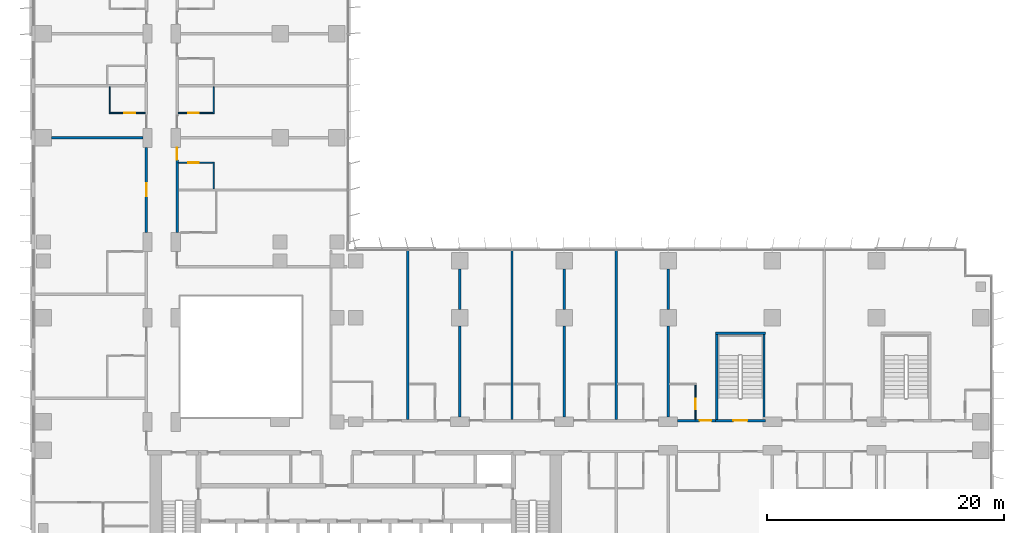
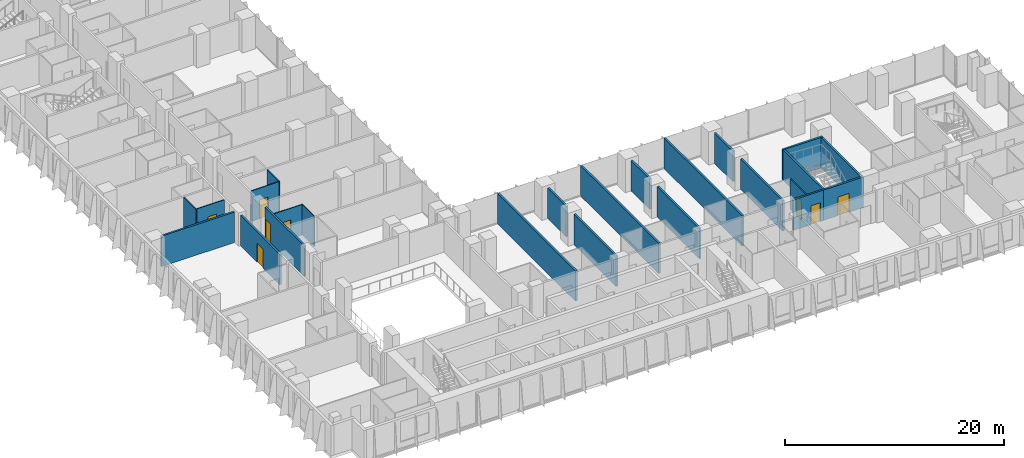
# One storey, part 15 of 24: 24 walls, 8 doors, 8 openings.
"""IFC4 building model written with IfcOpenShell, lengths in metres."""

from ifc_helpers import new_model, si_unit, direction, frame, frame_2d, origin, place, context, subcontext, project, spatial, rectangle, extrude, material, layer, layer_set, type_object, element, fill, save


model = new_model("IFC4")

# Units and contexts
model_context = context("Model", 3, precision=1e-05, world=origin(), true_north=direction((0.0, 1.0)))
body_context = subcontext(model_context, "Body", "Model", "MODEL_VIEW")
ifc_project = project(units=[si_unit("LENGTHUNIT", "METRE"), si_unit("AREAUNIT", "SQUARE_METRE"), si_unit("VOLUMEUNIT", "CUBIC_METRE"), si_unit("PLANEANGLEUNIT", "RADIAN"), si_unit("MASSUNIT", "GRAM", prefix="KILO")], contexts=[model_context])

# Site, building, storey
site_placement = place(None, origin())
site = spatial("IfcSite", under=ifc_project, at=site_placement, CompositionType="ELEMENT")
building_placement = place(site_placement, origin())
building = spatial("IfcBuilding", under=site, at=building_placement, Name="Kemantara Hotel Tower", CompositionType="ELEMENT")
storey_placement = place(building_placement, frame((0.0, 0.0, 37.699951171875)))
storey = spatial("IfcBuildingStorey", under=building, at=storey_placement, Name="L07", CompositionType="ELEMENT", Elevation=37.699951171875)

# Wall, opening, door
ifc_material_1 = material(Name="Gypsum board partition, steel studs and mineral wool, 200 mm", Category="steel")
ifc_layer_1 = layer(ifc_material_1, 0.199951171875)
ifc_layer_set_1 = layer_set([ifc_layer_1], Name="Gypsum board partition, steel studs and mineral wool, 200 mm")
wall_type_1 = type_object("IfcWallType", Name="CORRIDOR WALL 200", PredefinedType="PARTITIONING", material=ifc_layer_set_1)
wall_1_placement = place(storey_placement, frame((54.60009765625, 12.300048828125, 0.0), z_axis=(0.0, 0.0, 1.0), x_axis=(1.0, 0.0, 0.0)))
wall_1 = element("IfcWall", 1, at=wall_1_placement, inside=storey, type_object=wall_type_1, Name="CORRIDOR WALL 200 018", PredefinedType="PARTITIONING", context=body_context, shape_type="SweptSolid", body=[
    extrude(rectangle(XDim=3.199951171875, YDim=0.199951171875, at=frame_2d((1.60009765625, 0.0))), origin(), (0.0, 0.0, 1.0), 3.400146484375),
])
opening_1_placement = place(wall_1_placement, frame((1.849853515625, 0.0, 0.0)))
opening_1 = element("IfcOpeningElement", 2, at=opening_1_placement, cuts=wall_1, Name="Opening F01-025", PredefinedType="OPENING", context=body_context, shape_type="SweptSolid", body=[
    extrude(rectangle(XDim=1.0, YDim=2.10009765625, at=frame_2d((0.5, 1.050048828125))), frame((0.0, 0.10986328125, 0.0), z_axis=(0.0, -1.0, 0.0), x_axis=(1.0, 0.0, 0.0)), (0.0, 0.0, 1.0), 0.219970703125),
])
ifc_material_2 = material(Name="Hardwood veneer door leaf with steel frame", Category="steel")
door_type_1 = type_object("IfcDoorType", Name="GUEST ROOM DOOR 1000 X 2100 FD30S", OperationType="NOTDEFINED", PredefinedType="DOOR", material=ifc_material_2)
door_1_placement = place(opening_1_placement, origin())
door_1 = element("IfcDoor", 3, at=door_1_placement, inside=storey, type_object=door_type_1, Name="GUEST ROOM DOOR F01-025", OperationType="SINGLE_SWING_RIGHT", OverallHeight=2.10009765625, OverallWidth=1.0, PredefinedType="DOOR", context=body_context, shape_type="SweptSolid", body=[
    extrude(rectangle(XDim=1.0, YDim=2.10009765625, at=frame_2d((0.5, 1.050048828125))), frame((0.0, 0.02490234375, 0.0), z_axis=(0.0, -1.0, 0.0), x_axis=(1.0, 0.0, 0.0)), (0.0, 0.0, 1.0), 0.050048828125),
])
fill(opening_1, door_1)

wall_2_placement = place(storey_placement, frame((9.699951171875, 28.2001953125, 0.0), z_axis=(0.0, 0.0, 1.0), x_axis=(0.0, 1.0, 0.0)))
wall_2 = element("IfcWall", 4, at=wall_2_placement, inside=storey, type_object=wall_type_1, Name="CORRIDOR WALL 200 033", PredefinedType="PARTITIONING", context=body_context, shape_type="SweptSolid", body=[
    extrude(rectangle(XDim=7.19970703125, YDim=0.199951171875, at=frame_2d((3.599853515625, 0.0))), origin(), (0.0, 0.0, 1.0), 3.400146484375),
])
opening_2_placement = place(wall_2_placement, frame((3.0498046875, 0.0, 0.0)))
opening_2 = element("IfcOpeningElement", 5, at=opening_2_placement, cuts=wall_2, Name="Opening F01-039", PredefinedType="OPENING", context=body_context, shape_type="SweptSolid", body=[
    extrude(rectangle(XDim=1.10009765625, YDim=2.10009765625, at=frame_2d((0.550048828125, 1.050048828125))), frame((0.0, 0.10986328125, 0.0), z_axis=(0.0, -1.0, 0.0), x_axis=(1.0, 0.0, 0.0)), (0.0, 0.0, 1.0), 0.219970703125),
])
door_type_2 = type_object("IfcDoorType", Name="SUITE ENTRANCE DOOR 1100 X 2100 FD30S", OperationType="NOTDEFINED", PredefinedType="DOOR", material=ifc_material_2)
door_2_placement = place(opening_2_placement, origin())
door_2 = element("IfcDoor", 6, at=door_2_placement, inside=storey, type_object=door_type_2, Name="SUITE ENTRANCE DOOR F01-039", OperationType="SINGLE_SWING_RIGHT", OverallHeight=2.10009765625, OverallWidth=1.10009765625, PredefinedType="DOOR", context=body_context, shape_type="SweptSolid", body=[
    extrude(rectangle(XDim=1.10009765625, YDim=2.10009765625, at=frame_2d((0.550048828125, 1.050048828125))), frame((0.0, 0.02490234375, 0.0), z_axis=(0.0, -1.0, 0.0), x_axis=(1.0, 0.0, 0.0)), (0.0, 0.0, 1.0), 0.050048828125),
])
fill(opening_2, door_2)

wall_3_placement = place(storey_placement, frame((12.300048828125, 35.39990234375, 0.0), z_axis=(0.0, 0.0, 1.0), x_axis=(0.0, -1.0, 0.0)))
wall_3 = element("IfcWall", 7, at=wall_3_placement, inside=storey, type_object=wall_type_1, Name="CORRIDOR WALL 200 057", PredefinedType="PARTITIONING", context=body_context, shape_type="SweptSolid", body=[
    extrude(rectangle(XDim=7.19970703125, YDim=0.199951171875, at=frame_2d((3.599853515625, 0.0))), origin(), (0.0, 0.0, 1.0), 3.400146484375),
])
opening_3_placement = place(wall_3_placement, frame((0.0498046875, 0.0, 0.0)))
opening_3 = element("IfcOpeningElement", 8, at=opening_3_placement, cuts=wall_3, Name="Opening F01-059", PredefinedType="OPENING", context=body_context, shape_type="SweptSolid", body=[
    extrude(rectangle(XDim=1.0, YDim=2.10009765625, at=frame_2d((0.5, 1.050048828125))), frame((0.0, 0.10986328125, 0.0), z_axis=(0.0, -1.0, 0.0), x_axis=(1.0, 0.0, 0.0)), (0.0, 0.0, 1.0), 0.219970703125),
])
door_3_placement = place(opening_3_placement, origin())
door_3 = element("IfcDoor", 9, at=door_3_placement, inside=storey, type_object=door_type_1, Name="GUEST ROOM DOOR F01-059", OperationType="SINGLE_SWING_LEFT", OverallHeight=2.10009765625, OverallWidth=1.0, PredefinedType="DOOR", context=body_context, shape_type="SweptSolid", body=[
    extrude(rectangle(XDim=1.0, YDim=2.10009765625, at=frame_2d((0.5, 1.050048828125))), frame((0.0, 0.02490234375, 0.0), z_axis=(0.0, -1.0, 0.0), x_axis=(1.0, 0.0, 0.0)), (0.0, 0.0, 1.0), 0.050048828125),
])
fill(opening_3, door_3)

ifc_material_3 = material(Name="Concrete fc 40 MPa", Category="concrete")
ifc_layer_2 = layer(ifc_material_3, 0.199951171875)
ifc_layer_set_2 = layer_set([ifc_layer_2], Name="Concrete fc 40 MPa")
wall_type_2 = type_object("IfcWallType", Name="Concrete stair wall 200 mm", PredefinedType="SHEAR", material=ifc_layer_set_2)
wall_4_placement = place(storey_placement, frame((57.800048828125, 12.300048828125, 0.0), z_axis=(0.0, 0.0, 1.0), x_axis=(1.0, 0.0, 0.0)))
wall_4 = element("IfcWall", 10, at=wall_4_placement, inside=storey, type_object=wall_type_2, Name="Stair ST3 enclosure wall with door", PredefinedType="SHEAR", context=body_context, shape_type="SweptSolid", body=[
    extrude(rectangle(XDim=4.199951171875, YDim=0.199951171875, at=frame_2d((2.10009765625, 0.0))), origin(), (0.0, 0.0, 1.0), 3.400146484375),
])
opening_4_placement = place(wall_4_placement, frame((1.5, 0.0, 0.0)))
opening_4 = element("IfcOpeningElement", 11, at=opening_4_placement, cuts=wall_4, Name="Opening ST3-C", PredefinedType="OPENING", context=body_context, shape_type="SweptSolid", body=[
    extrude(rectangle(XDim=1.199951171875, YDim=2.10009765625, at=frame_2d((0.60009765625, 1.050048828125))), frame((0.0, 0.10986328125, 0.0), z_axis=(0.0, -1.0, 0.0), x_axis=(1.0, 0.0, 0.0)), (0.0, 0.0, 1.0), 0.219970703125),
])
ifc_material_4 = material(Name="Steel fire door", Category="steel")
door_type_3 = type_object("IfcDoorType", Name="Fire door FD90 1200 x 2100", OperationType="NOTDEFINED", PredefinedType="DOOR", material=ifc_material_4)
door_4_placement = place(opening_4_placement, origin())
door_4 = element("IfcDoor", 12, at=door_4_placement, inside=storey, type_object=door_type_3, Name="Stair ST3 door", OperationType="SINGLE_SWING_RIGHT", OverallHeight=2.10009765625, OverallWidth=1.199951171875, PredefinedType="DOOR", context=body_context, shape_type="SweptSolid", body=[
    extrude(rectangle(XDim=1.199951171875, YDim=2.10009765625, at=frame_2d((0.60009765625, 1.050048828125))), frame((0.0, 0.02490234375, 0.0), z_axis=(0.0, -1.0, 0.0), x_axis=(1.0, 0.0, 0.0)), (0.0, 0.0, 1.0), 0.050048828125),
])
fill(opening_4, door_4)

# Walls
wall_5_placement = place(storey_placement, frame((57.800048828125, 19.699951171875, 0.0), z_axis=(0.0, 0.0, 1.0), x_axis=(1.0, 0.0, 0.0)))
element("IfcWall", 13, at=wall_5_placement, inside=storey, type_object=wall_type_2, Name="Stair ST3 enclosure wall N", PredefinedType="SHEAR", context=body_context, shape_type="SweptSolid", body=[
    extrude(rectangle(XDim=4.199951171875, YDim=0.199951171875, at=frame_2d((2.10009765625, 0.0))), origin(), (0.0, 0.0, 1.0), 3.400146484375),
])
for number, where, z_axis, x_axis, name in (
    (14, (57.89990234375, 12.39990234375, 0.0), (0.0, 0.0, 1.0), (0.0, 1.0, 0.0), "Stair ST3 enclosure wall W"),
    (15, (61.89990234375, 12.39990234375, 0.0), (0.0, 0.0, 1.0), (0.0, 1.0, 0.0), "Stair ST3 enclosure wall E"),
):
    element("IfcWall", number, at=place(storey_placement, frame(where, z_axis=z_axis, x_axis=x_axis)), inside=storey, type_object=wall_type_2, Name=name, PredefinedType="SHEAR", context=body_context, shape_type="SweptSolid", body=[
        extrude(rectangle(XDim=7.2001953125, YDim=0.199951171875, at=frame_2d((3.60009765625, 0.0))), origin(), (0.0, 0.0, 1.0), 3.400146484375),
    ])
ifc_layer_3 = layer(ifc_material_1, 0.199951171875)
ifc_layer_set_3 = layer_set([ifc_layer_3], Name="Gypsum board partition, steel studs and mineral wool, 200 mm")
wall_type_3 = type_object("IfcWallType", Name="GUEST ROOM PARTY WALL 200", PredefinedType="PARTITIONING", material=ifc_layer_set_3)
wall_6_placement = place(storey_placement, frame((49.39990234375, 12.39990234375, 0.0), z_axis=(0.0, 0.0, 1.0), x_axis=(0.0, 1.0, 0.0)))
element("IfcWall", 16, at=wall_6_placement, inside=storey, type_object=wall_type_3, Name="GUEST ROOM PARTY WALL 200 006", PredefinedType="PARTITIONING", context=body_context, shape_type="SweptSolid", body=[
    extrude(rectangle(XDim=14.27001953125, YDim=0.199951171875, at=frame_2d((7.135009765625, 0.0))), origin(), (0.0, 0.0, 1.0), 3.400146484375),
])
wall_7_placement = place(storey_placement, frame((53.800048828125, 12.60009765625, 0.0), z_axis=(0.0, 0.0, 1.0), x_axis=(0.0, 1.0, 0.0)))
element("IfcWall", 17, at=wall_7_placement, inside=storey, type_object=wall_type_3, Name="GUEST ROOM PARTY WALL 200 008", PredefinedType="PARTITIONING", context=body_context, shape_type="SweptSolid", body=[
    extrude(rectangle(XDim=7.69970703125, YDim=0.199951171875, at=frame_2d((3.849853515625, 0.0))), origin(), (0.0, 0.0, 1.0), 3.400146484375),
])
wall_8_placement = place(storey_placement, frame((53.800048828125, 21.7001953125, 0.0), z_axis=(0.0, 0.0, 1.0), x_axis=(0.0, 1.0, 0.0)))
element("IfcWall", 18, at=wall_8_placement, inside=storey, type_object=wall_type_3, Name="GUEST ROOM PARTY WALL 200 009", PredefinedType="PARTITIONING", context=body_context, shape_type="SweptSolid", body=[
    extrude(rectangle(XDim=3.399658203125, YDim=0.199951171875, at=frame_2d((1.69970703125, 0.0))), origin(), (0.0, 0.0, 1.0), 3.400146484375),
])
wall_9_placement = place(storey_placement, frame((31.800048828125, 12.39990234375, 0.0), z_axis=(0.0, 0.0, 1.0), x_axis=(0.0, 1.0, 0.0)))
element("IfcWall", 19, at=wall_9_placement, inside=storey, type_object=wall_type_3, Name="GUEST ROOM PARTY WALL 200 024", PredefinedType="PARTITIONING", context=body_context, shape_type="SweptSolid", body=[
    extrude(rectangle(XDim=14.27001953125, YDim=0.199951171875, at=frame_2d((7.135009765625, 0.0))), origin(), (0.0, 0.0, 1.0), 3.400146484375),
])
wall_10_placement = place(storey_placement, frame((36.199951171875, 12.60009765625, 0.0), z_axis=(0.0, 0.0, 1.0), x_axis=(0.0, 1.0, 0.0)))
element("IfcWall", 20, at=wall_10_placement, inside=storey, type_object=wall_type_3, Name="GUEST ROOM PARTY WALL 200 025", PredefinedType="PARTITIONING", context=body_context, shape_type="SweptSolid", body=[
    extrude(rectangle(XDim=7.69970703125, YDim=0.199951171875, at=frame_2d((3.849853515625, 0.0))), origin(), (0.0, 0.0, 1.0), 3.400146484375),
])
wall_11_placement = place(storey_placement, frame((36.199951171875, 21.7001953125, 0.0), z_axis=(0.0, 0.0, 1.0), x_axis=(0.0, 1.0, 0.0)))
element("IfcWall", 21, at=wall_11_placement, inside=storey, type_object=wall_type_3, Name="GUEST ROOM PARTY WALL 200 026", PredefinedType="PARTITIONING", context=body_context, shape_type="SweptSolid", body=[
    extrude(rectangle(XDim=3.399658203125, YDim=0.199951171875, at=frame_2d((1.69970703125, 0.0))), origin(), (0.0, 0.0, 1.0), 3.400146484375),
])
wall_12_placement = place(storey_placement, frame((40.60009765625, 12.39990234375, 0.0), z_axis=(0.0, 0.0, 1.0), x_axis=(0.0, 1.0, 0.0)))
element("IfcWall", 22, at=wall_12_placement, inside=storey, type_object=wall_type_3, Name="GUEST ROOM PARTY WALL 200 027", PredefinedType="PARTITIONING", context=body_context, shape_type="SweptSolid", body=[
    extrude(rectangle(XDim=14.27001953125, YDim=0.199951171875, at=frame_2d((7.135009765625, 0.0))), origin(), (0.0, 0.0, 1.0), 3.400146484375),
])
wall_13_placement = place(storey_placement, frame((45.0, 12.60009765625, 0.0), z_axis=(0.0, 0.0, 1.0), x_axis=(0.0, 1.0, 0.0)))
element("IfcWall", 23, at=wall_13_placement, inside=storey, type_object=wall_type_3, Name="GUEST ROOM PARTY WALL 200 028", PredefinedType="PARTITIONING", context=body_context, shape_type="SweptSolid", body=[
    extrude(rectangle(XDim=7.69970703125, YDim=0.199951171875, at=frame_2d((3.849853515625, 0.0))), origin(), (0.0, 0.0, 1.0), 3.400146484375),
])
wall_14_placement = place(storey_placement, frame((45.0, 21.7001953125, 0.0), z_axis=(0.0, 0.0, 1.0), x_axis=(0.0, 1.0, 0.0)))
element("IfcWall", 24, at=wall_14_placement, inside=storey, type_object=wall_type_3, Name="GUEST ROOM PARTY WALL 200 029", PredefinedType="PARTITIONING", context=body_context, shape_type="SweptSolid", body=[
    extrude(rectangle(XDim=3.399658203125, YDim=0.199951171875, at=frame_2d((1.69970703125, 0.0))), origin(), (0.0, 0.0, 1.0), 3.400146484375),
])
wall_15_placement = place(storey_placement, frame((1.7001953125, 36.199951171875, 0.0), z_axis=(0.0, 0.0, 1.0), x_axis=(1.0, 0.0, 0.0)))
element("IfcWall", 25, at=wall_15_placement, inside=storey, type_object=wall_type_3, Name="GUEST ROOM PARTY WALL 200 041", PredefinedType="PARTITIONING", context=body_context, shape_type="SweptSolid", body=[
    extrude(rectangle(XDim=7.69970703125, YDim=0.199951171875, at=frame_2d((3.849853515625, 0.0))), origin(), (0.0, 0.0, 1.0), 3.400146484375),
])

# Wall, opening, door
ifc_material_5 = material(Name="Gypsum board partition on steel studs, 100 mm", Category="steel")
ifc_layer_4 = layer(ifc_material_5, 0.10009765625)
ifc_layer_set_4 = layer_set([ifc_layer_4], Name="Gypsum board partition on steel studs, 100 mm")
wall_type_4 = type_object("IfcWallType", Name="ROOM PARTITION 100", PredefinedType="PARTITIONING", material=ifc_layer_set_4)
wall_16_placement = place(storey_placement, frame((56.10009765625, 12.39990234375, 0.0), z_axis=(0.0, 0.0, 1.0), x_axis=(0.0, 1.0, 0.0)))
wall_16 = element("IfcWall", 26, at=wall_16_placement, inside=storey, type_object=wall_type_4, Name="ROOM PARTITION 100 102", PredefinedType="PARTITIONING", context=body_context, shape_type="SweptSolid", body=[
    extrude(rectangle(XDim=2.9501953125, YDim=0.10009765625, at=frame_2d((1.47509765625, 0.0))), origin(), (0.0, 0.0, 1.0), 3.400146484375),
])
opening_5_placement = place(wall_16_placement, frame((0.85009765625, 0.0, 0.0)))
opening_5 = element("IfcOpeningElement", 27, at=opening_5_placement, cuts=wall_16, Name="Opening F01-026", PredefinedType="OPENING", context=body_context, shape_type="SweptSolid", body=[
    extrude(rectangle(XDim=0.89990234375, YDim=2.10009765625, at=frame_2d((0.449951171875, 1.050048828125))), frame((0.0, 0.06005859375, 0.0), z_axis=(0.0, -1.0, 0.0), x_axis=(1.0, 0.0, 0.0)), (0.0, 0.0, 1.0), 0.1201171875),
])
door_type_4 = type_object("IfcDoorType", Name="BATHROOM DOOR 900 X 2100", OperationType="NOTDEFINED", PredefinedType="DOOR", material=ifc_material_2)
door_5_placement = place(opening_5_placement, origin())
door_5 = element("IfcDoor", 28, at=door_5_placement, inside=storey, type_object=door_type_4, Name="BATHROOM DOOR F01-026", OperationType="SINGLE_SWING_LEFT", OverallHeight=2.10009765625, OverallWidth=0.89990234375, PredefinedType="DOOR", context=body_context, shape_type="SweptSolid", body=[
    extrude(rectangle(XDim=0.89990234375, YDim=2.10009765625, at=frame_2d((0.449951171875, 1.050048828125))), frame((0.0, 0.02490234375, 0.0), z_axis=(0.0, -1.0, 0.0), x_axis=(1.0, 0.0, 0.0)), (0.0, 0.0, 1.0), 0.050048828125),
])
fill(opening_5, door_5)

# Wall
wall_17_placement = place(storey_placement, frame((6.60009765625, 38.25, 0.0), z_axis=(0.0, 0.0, 1.0), x_axis=(0.0, 1.0, 0.0)))
element("IfcWall", 29, at=wall_17_placement, inside=storey, type_object=wall_type_4, Name="ROOM PARTITION 100 116", PredefinedType="PARTITIONING", context=body_context, shape_type="SweptSolid", body=[
    extrude(rectangle(XDim=2.25, YDim=0.10009765625, at=frame_2d((1.125, 0.0))), origin(), (0.0, 0.0, 1.0), 3.400146484375),
])

# Wall, opening, door
wall_18_placement = place(storey_placement, frame((6.64990234375, 38.300048828125, 0.0), z_axis=(0.0, 0.0, 1.0), x_axis=(1.0, 0.0, 0.0)))
wall_18 = element("IfcWall", 30, at=wall_18_placement, inside=storey, type_object=wall_type_4, Name="ROOM PARTITION 100 121", PredefinedType="PARTITIONING", context=body_context, shape_type="SweptSolid", body=[
    extrude(rectangle(XDim=2.9501953125, YDim=0.10009765625, at=frame_2d((1.47509765625, 0.0))), origin(), (0.0, 0.0, 1.0), 3.400146484375),
])
opening_6_placement = place(wall_18_placement, frame((1.199951171875, 0.0, 0.0)))
opening_6 = element("IfcOpeningElement", 31, at=opening_6_placement, cuts=wall_18, Name="Opening F01-042", PredefinedType="OPENING", context=body_context, shape_type="SweptSolid", body=[
    extrude(rectangle(XDim=0.89990234375, YDim=2.10009765625, at=frame_2d((0.449951171875, 1.050048828125))), frame((0.0, 0.06005859375, 0.0), z_axis=(0.0, -1.0, 0.0), x_axis=(1.0, 0.0, 0.0)), (0.0, 0.0, 1.0), 0.1201171875),
])
door_6_placement = place(opening_6_placement, origin())
door_6 = element("IfcDoor", 32, at=door_6_placement, inside=storey, type_object=door_type_4, Name="BATHROOM DOOR F01-042", OperationType="SINGLE_SWING_RIGHT", OverallHeight=2.10009765625, OverallWidth=0.89990234375, PredefinedType="DOOR", context=body_context, shape_type="SweptSolid", body=[
    extrude(rectangle(XDim=0.89990234375, YDim=2.10009765625, at=frame_2d((0.449951171875, 1.050048828125))), frame((0.0, 0.02490234375, 0.0), z_axis=(0.0, -1.0, 0.0), x_axis=(1.0, 0.0, 0.0)), (0.0, 0.0, 1.0), 0.050048828125),
])
fill(opening_6, door_6)

wall_19_placement = place(storey_placement, frame((12.39990234375, 38.300048828125, 0.0), z_axis=(0.0, 0.0, 1.0), x_axis=(1.0, 0.0, 0.0)))
wall_19 = element("IfcWall", 33, at=wall_19_placement, inside=storey, type_object=wall_type_4, Name="ROOM PARTITION 100 122", PredefinedType="PARTITIONING", context=body_context, shape_type="SweptSolid", body=[
    extrude(rectangle(XDim=2.9501953125, YDim=0.10009765625, at=frame_2d((1.47509765625, 0.0))), origin(), (0.0, 0.0, 1.0), 3.400146484375),
])
opening_7_placement = place(wall_19_placement, frame((0.85009765625, 0.0, 0.0)))
opening_7 = element("IfcOpeningElement", 34, at=opening_7_placement, cuts=wall_19, Name="Opening F01-062", PredefinedType="OPENING", context=body_context, shape_type="SweptSolid", body=[
    extrude(rectangle(XDim=0.89990234375, YDim=2.10009765625, at=frame_2d((0.449951171875, 1.050048828125))), frame((0.0, 0.06005859375, 0.0), z_axis=(0.0, -1.0, 0.0), x_axis=(1.0, 0.0, 0.0)), (0.0, 0.0, 1.0), 0.1201171875),
])
door_7_placement = place(opening_7_placement, origin())
door_7 = element("IfcDoor", 35, at=door_7_placement, inside=storey, type_object=door_type_4, Name="BATHROOM DOOR F01-062", OperationType="SINGLE_SWING_LEFT", OverallHeight=2.10009765625, OverallWidth=0.89990234375, PredefinedType="DOOR", context=body_context, shape_type="SweptSolid", body=[
    extrude(rectangle(XDim=0.89990234375, YDim=2.10009765625, at=frame_2d((0.449951171875, 1.050048828125))), frame((0.0, 0.02490234375, 0.0), z_axis=(0.0, -1.0, 0.0), x_axis=(1.0, 0.0, 0.0)), (0.0, 0.0, 1.0), 0.050048828125),
])
fill(opening_7, door_7)

# Walls
for number, where, z_axis, x_axis, name in (
    (36, (15.39990234375, 31.89990234375, 0.0), (0.0, 0.0, 1.0), (0.0, 1.0, 0.0), "ROOM PARTITION 100 136"),
    (37, (15.39990234375, 38.25, 0.0), (0.0, 0.0, 1.0), (0.0, 1.0, 0.0), "ROOM PARTITION 100 137"),
):
    element("IfcWall", number, at=place(storey_placement, frame(where, z_axis=z_axis, x_axis=x_axis)), inside=storey, type_object=wall_type_4, Name=name, PredefinedType="PARTITIONING", context=body_context, shape_type="SweptSolid", body=[
        extrude(rectangle(XDim=2.25, YDim=0.10009765625, at=frame_2d((1.125, 0.0))), origin(), (0.0, 0.0, 1.0), 3.400146484375),
    ])

# Wall, opening, door
wall_20_placement = place(storey_placement, frame((15.35009765625, 34.10009765625, 0.0), z_axis=(0.0, 0.0, 1.0), x_axis=(-1.0, 0.0, 0.0)))
wall_20 = element("IfcWall", 38, at=wall_20_placement, inside=storey, type_object=wall_type_4, Name="ROOM PARTITION 100 143", PredefinedType="PARTITIONING", context=body_context, shape_type="SweptSolid", body=[
    extrude(rectangle(XDim=2.9501953125, YDim=0.10009765625, at=frame_2d((1.47509765625, 0.0))), origin(), (0.0, 0.0, 1.0), 3.400146484375),
])
opening_8_placement = place(wall_20_placement, frame((1.199951171875, 0.0, 0.0)))
opening_8 = element("IfcOpeningElement", 39, at=opening_8_placement, cuts=wall_20, Name="Opening F01-060", PredefinedType="OPENING", context=body_context, shape_type="SweptSolid", body=[
    extrude(rectangle(XDim=0.89990234375, YDim=2.10009765625, at=frame_2d((0.449951171875, 1.050048828125))), frame((0.0, 0.06005859375, 0.0), z_axis=(0.0, -1.0, 0.0), x_axis=(1.0, 0.0, 0.0)), (0.0, 0.0, 1.0), 0.1201171875),
])
door_8_placement = place(opening_8_placement, origin())
door_8 = element("IfcDoor", 40, at=door_8_placement, inside=storey, type_object=door_type_4, Name="BATHROOM DOOR F01-060", OperationType="SINGLE_SWING_RIGHT", OverallHeight=2.10009765625, OverallWidth=0.89990234375, PredefinedType="DOOR", context=body_context, shape_type="SweptSolid", body=[
    extrude(rectangle(XDim=0.89990234375, YDim=2.10009765625, at=frame_2d((0.449951171875, 1.050048828125))), frame((0.0, 0.02490234375, 0.0), z_axis=(0.0, -1.0, 0.0), x_axis=(1.0, 0.0, 0.0)), (0.0, 0.0, 1.0), 0.050048828125),
])
fill(opening_8, door_8)

save(model, "model.ifc")
